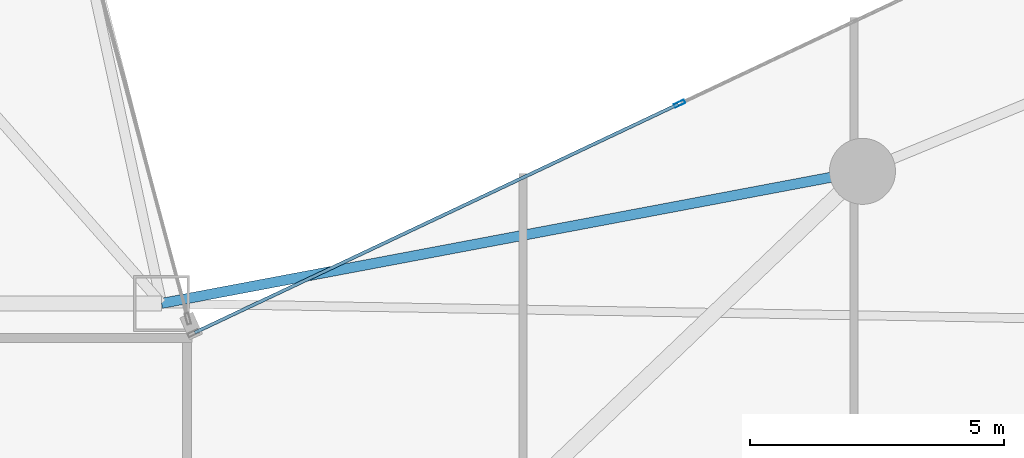
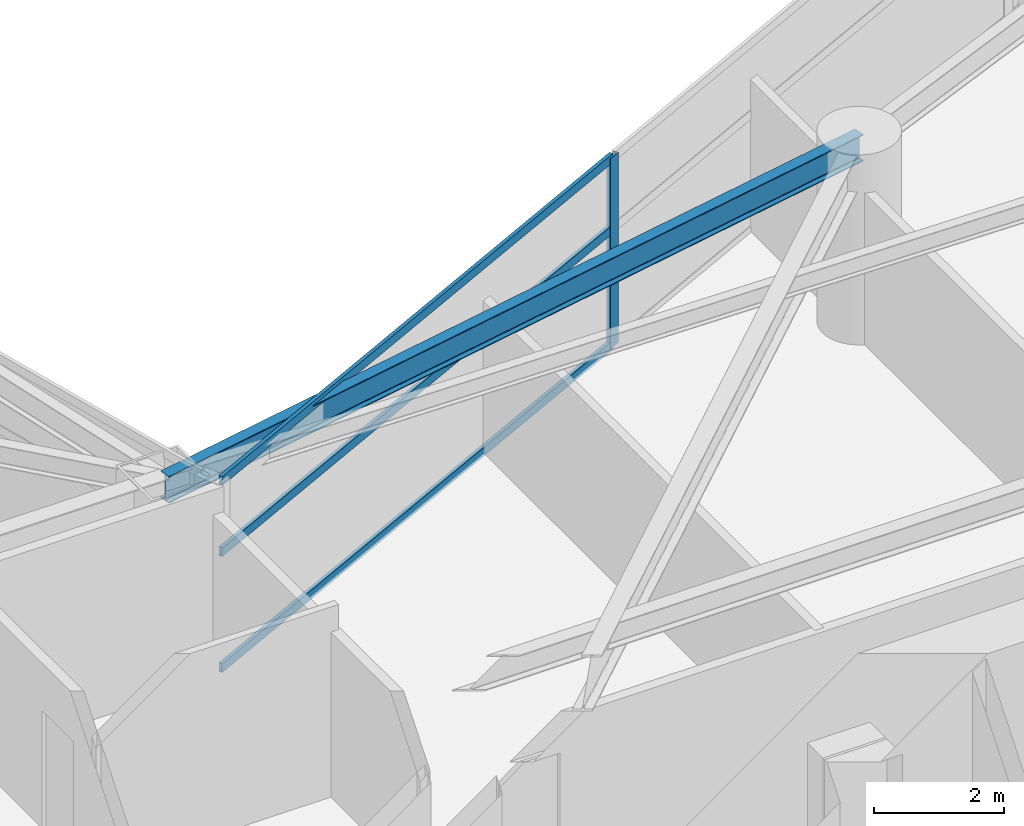
# One storey, part 11 of 30: 4 members, 1 beam, 1 element without a shape of its own.
"""IFC4 building model written with IfcOpenShell, lengths in metres."""

from ifc_helpers import new_model, si_unit, direction, frame, origin, origin_2d, place, context, subcontext, project, spatial, hollow_rectangle, i_section, extrude, material, layer, layer_set, material_profile, profile_set, type_object, element, aggregate, save


model = new_model("IFC4")

# Units and contexts
model_context = context("Model", 3, precision=1e-05, world=origin(), true_north=direction((0.0, 1.0)))
body_context = subcontext(model_context, "Body", "Model", "MODEL_VIEW")
ifc_project = project(units=[si_unit("LENGTHUNIT", "METRE"), si_unit("AREAUNIT", "SQUARE_METRE"), si_unit("VOLUMEUNIT", "CUBIC_METRE"), si_unit("PLANEANGLEUNIT", "RADIAN"), si_unit("MASSUNIT", "GRAM", prefix="KILO")], contexts=[model_context])

# Site, building, storey
site_placement = place(None, origin())
site = spatial("IfcSite", under=ifc_project, at=site_placement, CompositionType="ELEMENT")
building_placement = place(site_placement, origin())
building = spatial("IfcBuilding", under=site, at=building_placement, Name="Calvorn Quay Hotel", CompositionType="ELEMENT")
storey_placement = place(building_placement, frame((0.0, 0.0, 77.39990234375)))
storey = spatial("IfcBuildingStorey", under=building, at=storey_placement, Name="L18", CompositionType="ELEMENT", Elevation=77.39990234375)

# Beam
ifc_material_1 = material(Name="Steel Q355B", Category="steel")
ifc_material_profile_1 = material_profile(ifc_material_1, i_section(OverallWidth=0.199951171875, OverallDepth=0.5, WebThickness=0.010009765625, FlangeThickness=0.01611328125, FilletRadius=0.01611328125, at=origin_2d()), Name="HN500x200x10x16")
ifc_profile_set_1 = profile_set([ifc_material_profile_1], Name="Steel Q355B")
beam_type = type_object("IfcBeamType", Name="BM-SPANDREL-Z1", PredefinedType="SPANDREL", material=ifc_profile_set_1)
beam_placement = place(storey_placement, frame((34.800048828125, 27.60009765625, 3.2900390625), z_axis=(-0.982709432406, -0.185154452988, 0.0), x_axis=(0.185154452988, -0.982709432406, 0.0)))
element("IfcBeam", 1, at=beam_placement, inside=storey, type_object=beam_type, Name="Beam BSP-L18-E5", PredefinedType="SPANDREL", context=body_context, shape_type="SweptSolid", body=[
    extrude(i_section(OverallWidth=0.199951171875, OverallDepth=0.5, WebThickness=0.010009765625, FlangeThickness=0.01611328125, FilletRadius=0.01611328125, at=origin_2d()), origin(), (0.0, 0.0, 1.0), 14.04296875),
])

# Curtain wall, members
ifc_material_2 = material(Name="Pale Anodised Aluminium and Low-E Glass", Category="aluminium")
ifc_layer = layer(ifc_material_2, 0.219970703125)
ifc_layer_set = layer_set([ifc_layer], Name="CW-SYS-Z1")
curtain_wall_type = type_object("IfcCurtainWallType", Name="CW-SYS-Z1", PredefinedType="NOTDEFINED", material=ifc_layer_set)
curtain_wall_placement = place(storey_placement, origin())
curtain_wall = element("IfcCurtainWall", 2, at=curtain_wall_placement, inside=storey, type_object=curtain_wall_type, Name="Inner Court Curtain Wall L18-NE1", PredefinedType="NOTDEFINED")
ifc_material_3 = material(Name="Pale Anodised Aluminium 6063-T6", Category="aluminium")
ifc_material_profile_2 = material_profile(ifc_material_3, hollow_rectangle(XDim=0.074951171875, YDim=0.219970703125, WallThickness=0.00439453125, at=origin_2d()), Name="ALU-M220x75x4.5")
ifc_profile_set_2 = profile_set([ifc_material_profile_2], Name="Pale Anodised Aluminium 6063-T6")
member_type_1 = type_object("IfcMemberType", Name="CW-SYS-Z1-MUL", PredefinedType="MULLION", material=ifc_profile_set_2)
member_1_placement = place(storey_placement, frame((31.199951171875, 28.933349609375, 0.0), z_axis=(0.0, 0.0, 1.0), x_axis=(0.427006305415, -0.904248646743, 0.0)))
member_1 = element("IfcMember", 3, at=member_1_placement, type_object=member_type_1, Name="CW-L18-NE1 mullion 3", PredefinedType="MULLION", context=body_context, shape_type="SweptSolid", body=[
    extrude(hollow_rectangle(XDim=0.074951171875, YDim=0.219970703125, WallThickness=0.00439453125, at=origin_2d()), origin(), (0.0, 0.0, 1.0), 3.56005859375),
])
ifc_material_4 = material(Name="Pale Anodised Aluminium 6063-T6", Category="aluminium")
ifc_material_profile_3 = material_profile(ifc_material_4, hollow_rectangle(XDim=0.06494140625, YDim=0.1650390625, WallThickness=0.00341796875, at=origin_2d()), Name="ALU-T165x65x3.5")
ifc_profile_set_3 = profile_set([ifc_material_profile_3], Name="Pale Anodised Aluminium 6063-T6")
member_type_2 = type_object("IfcMemberType", Name="CW-SYS-Z1-TRN", PredefinedType="USERDEFINED", material=ifc_profile_set_3)
member_2_placement = place(storey_placement, frame((31.1728515625, 28.92041015625, 0.030029296875), z_axis=(-0.904248646746, -0.427006305408, 0.0), x_axis=(0.427006305408, -0.904248646746, 0.0)))
member_2 = element("IfcMember", 4, at=member_2_placement, type_object=member_type_2, Name="CW-L18-NE1 transom 3.1", ObjectType="TRANSOM", PredefinedType="USERDEFINED", context=body_context, shape_type="SweptSolid", body=[
    extrude(hollow_rectangle(XDim=0.06494140625, YDim=0.1650390625, WallThickness=0.00341796875, at=origin_2d()), origin(), (0.0, 0.0, 1.0), 10.5263671875),
])
member_3_placement = place(storey_placement, frame((31.1728515625, 28.92041015625, 2.2001953125), z_axis=(-0.904248646746, -0.427006305408, 0.0), x_axis=(0.427006305408, -0.904248646746, 0.0)))
member_3 = element("IfcMember", 5, at=member_3_placement, type_object=member_type_2, Name="CW-L18-NE1 transom 3.2", ObjectType="TRANSOM", PredefinedType="USERDEFINED", context=body_context, shape_type="SweptSolid", body=[
    extrude(hollow_rectangle(XDim=0.06494140625, YDim=0.1650390625, WallThickness=0.00341796875, at=origin_2d()), origin(), (0.0, 0.0, 1.0), 10.5263671875),
])
member_4_placement = place(storey_placement, frame((31.1728515625, 28.92041015625, 3.530029296875), z_axis=(-0.904248646746, -0.427006305408, 0.0), x_axis=(0.427006305408, -0.904248646746, 0.0)))
member_4 = element("IfcMember", 6, at=member_4_placement, type_object=member_type_2, Name="CW-L18-NE1 transom 3.3", ObjectType="TRANSOM", PredefinedType="USERDEFINED", context=body_context, shape_type="SweptSolid", body=[
    extrude(hollow_rectangle(XDim=0.06494140625, YDim=0.1650390625, WallThickness=0.00341796875, at=origin_2d()), origin(), (0.0, 0.0, 1.0), 10.5263671875),
])
aggregate(curtain_wall, [member_1, member_2, member_3, member_4])

save(model, "model.ifc")
